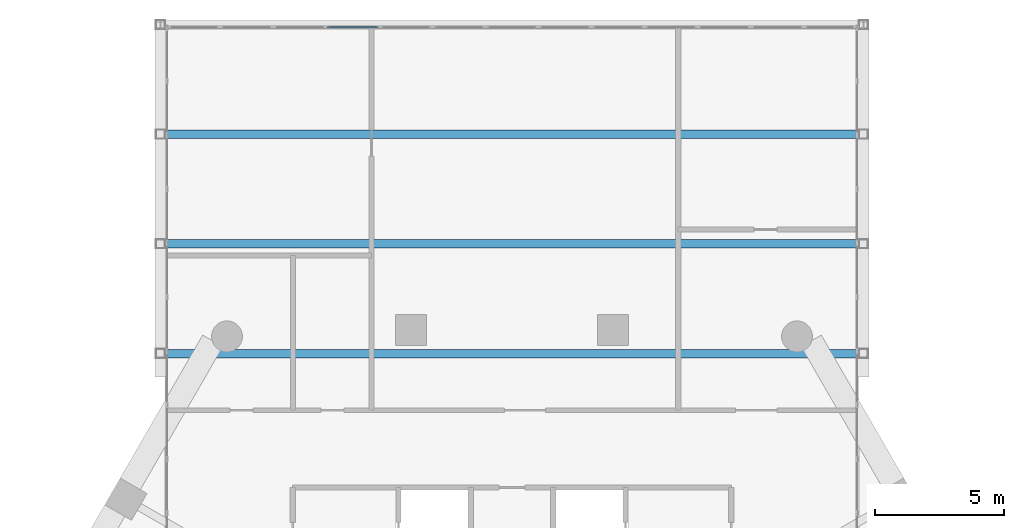
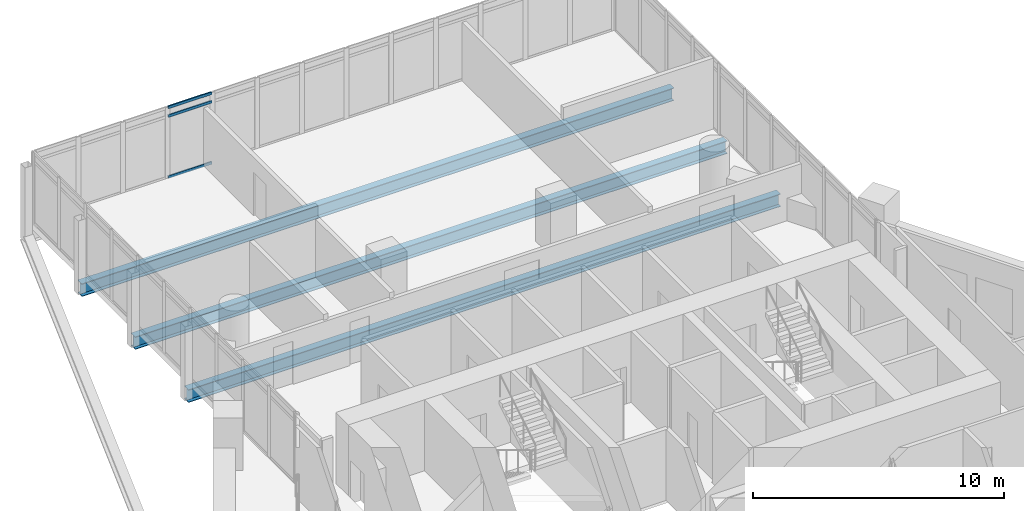
# One storey, part 19 of 37: 3 beams, 3 members, 1 element without a shape of its own.
"""IFC4 building model written with IfcOpenShell, lengths in metres."""

from ifc_helpers import new_model, si_unit, direction, frame, origin, origin_2d, place, context, subcontext, project, spatial, hollow_rectangle, i_section, extrude, material, material_profile, profile_set, type_object, element, aggregate, save


model = new_model("IFC4")

# Units and contexts
model_context = context("Model", 3, precision=1e-05, world=origin(), true_north=direction((0.0, 1.0)))
body_context = subcontext(model_context, "Body", "Model", "MODEL_VIEW")
ifc_project = project(units=[si_unit("LENGTHUNIT", "METRE"), si_unit("AREAUNIT", "SQUARE_METRE"), si_unit("VOLUMEUNIT", "CUBIC_METRE"), si_unit("PLANEANGLEUNIT", "RADIAN"), si_unit("MASSUNIT", "GRAM", prefix="KILO")], contexts=[model_context])

# Site, building, storey
site_placement = place(None, origin())
site = spatial("IfcSite", under=ifc_project, at=site_placement, CompositionType="ELEMENT")
building_placement = place(site_placement, origin())
building = spatial("IfcBuilding", under=site, at=building_placement, Name="Ostrander Bayou Hotel Tower", CompositionType="ELEMENT")
storey_placement = place(building_placement, frame((0.0, 0.0, 93.0)))
storey = spatial("IfcBuildingStorey", under=building, at=storey_placement, Name="L23", CompositionType="ELEMENT", Elevation=93.0)

# Curtain wall, members
ifc_material_1 = material(Name="Aluminium and clear glass", Category="aluminium")
curtain_wall_type = type_object("IfcCurtainWallType", Name="CW-BAR glazed wall", PredefinedType="NOTDEFINED", material=ifc_material_1)
curtain_wall_placement = place(storey_placement, origin())
curtain_wall = element("IfcCurtainWall", 1, at=curtain_wall_placement, inside=storey, type_object=curtain_wall_type, Name="CW-BAR L23:SB2N:T", PredefinedType="NOTDEFINED")
ifc_material_2 = material(Name="Aluminium", Category="aluminium")
ifc_material_profile_1 = material_profile(ifc_material_2, hollow_rectangle(XDim=0.06005859375, YDim=0.1298828125, WallThickness=0.00390625, at=origin_2d()))
ifc_profile_set_1 = profile_set([ifc_material_profile_1], Name="Aluminium")
member_type = type_object("IfcMemberType", Name="CW-BR transom 60 x 130 mm", PredefinedType="USERDEFINED", material=ifc_profile_set_1)
member_1_placement = place(storey_placement, frame((-7.167724609375, 31.4453125, 0.030029296875), z_axis=(1.0, 0.0, 0.0), x_axis=(0.0, 1.0, 0.0)))
member_1 = element("IfcMember", 2, at=member_1_placement, type_object=member_type, Name="CW-BAR transom 4.1", ObjectType="TRANSOM", PredefinedType="USERDEFINED", context=body_context, shape_type="SweptSolid", body=[
    extrude(hollow_rectangle(XDim=0.06005859375, YDim=0.1298828125, WallThickness=0.00390625, at=origin_2d()), origin(), (0.0, 0.0, 1.0), 1.99658203125),
])
member_2_placement = place(storey_placement, frame((-7.167724609375, 31.4453125, 3.0), z_axis=(1.0, 0.0, 0.0), x_axis=(0.0, 1.0, 0.0)))
member_2 = element("IfcMember", 3, at=member_2_placement, type_object=member_type, Name="CW-BAR transom 4.2", ObjectType="TRANSOM", PredefinedType="USERDEFINED", context=body_context, shape_type="SweptSolid", body=[
    extrude(hollow_rectangle(XDim=0.06005859375, YDim=0.1298828125, WallThickness=0.00390625, at=origin_2d()), origin(), (0.0, 0.0, 1.0), 1.99658203125),
])
member_3_placement = place(storey_placement, frame((-7.167724609375, 31.4453125, 3.419921875), z_axis=(1.0, 0.0, 0.0), x_axis=(0.0, 1.0, 0.0)))
member_3 = element("IfcMember", 4, at=member_3_placement, type_object=member_type, Name="CW-BAR transom 4.3", ObjectType="TRANSOM", PredefinedType="USERDEFINED", context=body_context, shape_type="SweptSolid", body=[
    extrude(hollow_rectangle(XDim=0.06005859375, YDim=0.1298828125, WallThickness=0.00390625, at=origin_2d()), origin(), (0.0, 0.0, 1.0), 1.99658203125),
])
aggregate(curtain_wall, [member_1, member_2, member_3])

# Beams
ifc_material_3 = material(Name="Steel ASTM A992", Category="steel")
ifc_material_profile_2 = material_profile(ifc_material_3, i_section(OverallWidth=0.32763671875, OverallDepth=0.621826171875, WebThickness=0.015380859375, FlangeThickness=0.0244140625, at=origin_2d()))
ifc_profile_set_2 = profile_set([ifc_material_profile_2], Name="Steel ASTM A992")
beam_type = type_object("IfcBeamType", Name="TF1 bar floor beam W24x131", PredefinedType="BEAM", material=ifc_profile_set_2)
for number, where, z_axis, x_axis, name in (
    (5, (-13.6201171875, 27.295654296875, -0.61083984375), (1.0, 0.0, 0.0), (0.0, 1.0, 0.0), "TF1 SB2W L1-2"),
    (6, (-13.6201171875, 23.0458984375, -0.61083984375), (1.0, 0.0, 0.0), (0.0, 1.0, 0.0), "TF1 SB2W L1-3"),
    (7, (-13.6201171875, 18.79638671875, -0.61083984375), (1.0, 0.0, 0.0), (0.0, 1.0, 0.0), "TF1 SB2W L1-4"),
):
    element("IfcBeam", number, at=place(storey_placement, frame(where, z_axis=z_axis, x_axis=x_axis)), inside=storey, type_object=beam_type, Name=name, PredefinedType="BEAM", context=body_context, shape_type="SweptSolid", body=[
        extrude(i_section(OverallWidth=0.32763671875, OverallDepth=0.621826171875, WebThickness=0.015380859375, FlangeThickness=0.0244140625, at=origin_2d()), origin(), (0.0, 0.0, 1.0), 27.240234375),
    ])

save(model, "model.ifc")
